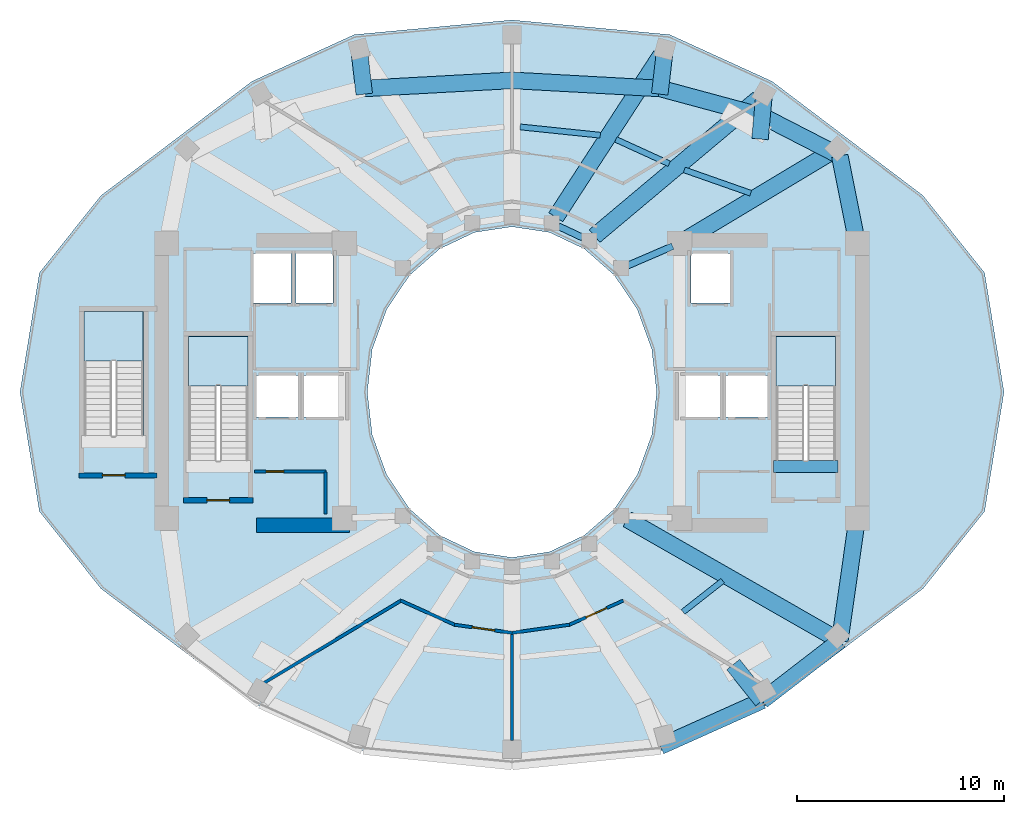
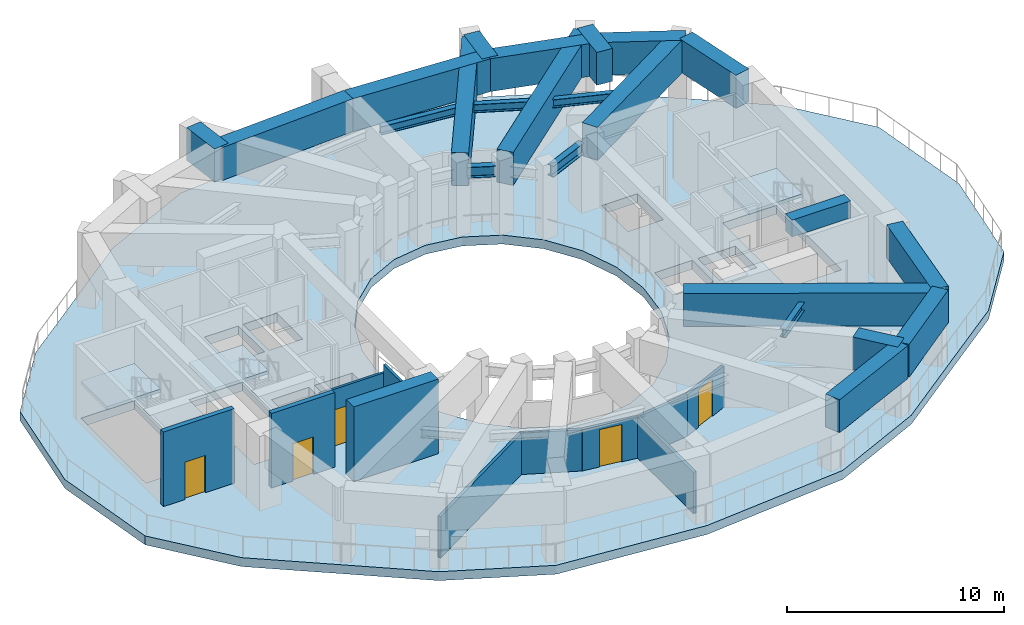
# One storey, part 2 of 9: 23 beams, 11 walls, 5 doors, 4 slabs, 5 openings, 3 elements without a shape of their own.
"""IFC4 building model written with IfcOpenShell, lengths in metres."""

import ifcopenshell
import ifcopenshell.guid

model = None  # the IFC model being written
_history = None  # IfcOwnerHistory: only IFC2X3 demands one
_inside = {}  # id of a spatial element -> (the spatial element, [elements in it])
_under = {}  # id of a project, library or spatial element -> (it, [spatial elements below it])
_declared = {}  # id of a project -> (the project, [libraries it declares])
_typed = {}  # id of a type object -> (the type object, [elements of that type])
_made_of = {}  # id of a material, layer set ... -> (it, [elements and type objects made of it])


def new_model(schema):
    """Start an empty IFC model of exactly this schema.

    Asked for "IFC4X3", IfcOpenShell would pick the latest addendum, in which some entities
    have other attributes; the version numbers below select the first issue.
    IFC2X3 requires an IfcOwnerHistory on every rooted entity: one is made here for all.
    """
    global model, _history
    if schema == "IFC4X3":
        model = ifcopenshell.file(schema_version=(4, 3, 0, 0))
    else:
        model = ifcopenshell.file(schema=schema)
    _inside.clear()
    _under.clear()
    _declared.clear()
    _typed.clear()
    _made_of.clear()
    _history = None
    if model.schema == "IFC2X3":
        org = make("IfcOrganization", Name="unknown")
        user = make(
            "IfcPersonAndOrganization",
            ThePerson=make("IfcPerson", FamilyName="unknown"),
            TheOrganization=org,
        )
        app = make(
            "IfcApplication",
            ApplicationDeveloper=org,
            Version="unknown",
            ApplicationFullName="unknown",
            ApplicationIdentifier="unknown",
        )
        _history = make(
            "IfcOwnerHistory",
            OwningUser=user,
            OwningApplication=app,
            ChangeAction="ADDED",
            CreationDate=0,
        )
    return model


def make(cls, **values):
    """One entity of the class cls with the attributes given. An attribute that is None is left unset."""
    return model.create_entity(
        cls, **{name: value for name, value in values.items() if value is not None}
    )


def rooted(cls, **values):
    """An entity with a GlobalId (a new one), such as an element, a storey or a relation."""
    return make(cls, GlobalId=ifcopenshell.guid.new(), OwnerHistory=_history, **values)


def si_unit(unit_type, name, prefix=None):
    """IfcSIUnit, for example si_unit("LENGTHUNIT", "METRE", prefix="MILLI")."""
    return make("IfcSIUnit", UnitType=unit_type, Prefix=prefix, Name=name)


def assignment(units):
    """IfcUnitAssignment: the units of a project."""
    return None if units is None else make("IfcUnitAssignment", Units=units)


def point(xyz):
    """IfcCartesianPoint."""
    return None if xyz is None else make("IfcCartesianPoint", Coordinates=xyz)


def direction(xyz):
    """IfcDirection."""
    return None if xyz is None else make("IfcDirection", DirectionRatios=xyz)


def frame(location, z_axis=None, x_axis=None):
    """IfcAxis2Placement3D, a coordinate frame: its origin and axes. An axis left out is left unset."""
    return make(
        "IfcAxis2Placement3D",
        Location=point(location),
        Axis=direction(z_axis),
        RefDirection=direction(x_axis),
    )


def frame_2d(location, x_axis=None):
    """IfcAxis2Placement2D, a coordinate frame in the plane: its origin and x axis."""
    return make(
        "IfcAxis2Placement2D", Location=point(location), RefDirection=direction(x_axis)
    )


def origin():
    """The frame at (0, 0, 0) with its axes left unset."""
    return frame((0.0, 0.0, 0.0))


def origin_2d():
    """The frame at (0, 0) in the plane with its x axis left unset."""
    return frame_2d((0.0, 0.0))


def place(relative_to, where):
    """IfcLocalPlacement: puts the frame where relative to a parent placement (None: the world)."""
    return make(
        "IfcLocalPlacement", PlacementRelTo=relative_to, RelativePlacement=where
    )


def context(
    kind, dimensions, precision=None, world=None, true_north=None, identifier=None
):
    """IfcGeometricRepresentationContext, for example the 3D "Model" context."""
    return make(
        "IfcGeometricRepresentationContext",
        ContextIdentifier=identifier,
        ContextType=kind,
        CoordinateSpaceDimension=dimensions,
        Precision=precision,
        WorldCoordinateSystem=world,
        TrueNorth=true_north,
    )


def subcontext(parent, identifier, kind, view, scale=None):
    """IfcGeometricRepresentationSubContext, for example "Body" below "Model"."""
    return make(
        "IfcGeometricRepresentationSubContext",
        ContextIdentifier=identifier,
        ContextType=kind,
        ParentContext=parent,
        TargetScale=scale,
        TargetView=view,
    )


def project(units=None, contexts=None):
    """IfcProject with its units and contexts."""
    return rooted(
        "IfcProject",
        Name="project",
        RepresentationContexts=contexts,
        UnitsInContext=assignment(units),
    )


def spatial(cls, under=None, at=None, **own):
    """A site, building, storey or space (cls), placed at a placement, below another one or the project."""
    s = rooted(cls, ObjectPlacement=at, **own)
    if under is not None:
        _under.setdefault(under.id(), (under, []))[1].append(s)
    return s


def polyline(points):
    """IfcPolyline through the points."""
    return make("IfcPolyline", Points=[point(p) for p in points])


def profile(cls, at=None, kind="AREA", **sizes):
    """A parametric profile (cls). Its sizes go by their IFC names, for example OverallWidth=200.0."""
    return make(cls, ProfileType=kind, Position=at, **sizes)


def rectangle(**sizes):
    """IfcRectangleProfileDef."""
    return profile("IfcRectangleProfileDef", **sizes)


def i_section(**sizes):
    """IfcIShapeProfileDef."""
    return profile("IfcIShapeProfileDef", **sizes)


def outline(outer, holes=None, kind="AREA"):
    """IfcArbitraryClosedProfileDef: a profile drawn as a closed curve; with holes, ...WithVoids."""
    if holes is None:
        return make("IfcArbitraryClosedProfileDef", ProfileType=kind, OuterCurve=outer)
    return make(
        "IfcArbitraryProfileDefWithVoids",
        ProfileType=kind,
        OuterCurve=outer,
        InnerCurves=holes,
    )


def extrude(swept, where, along, depth):
    """IfcExtrudedAreaSolid: the profile swept, set in the frame where, extruded along a direction by depth."""
    return make(
        "IfcExtrudedAreaSolid",
        SweptArea=swept,
        Position=where,
        ExtrudedDirection=direction(along),
        Depth=depth,
    )


def shape(context_of_items, identifier, shape_type, items):
    """IfcShapeRepresentation: the items that make up one representation, for example the "Body"."""
    return make(
        "IfcShapeRepresentation",
        ContextOfItems=context_of_items,
        RepresentationIdentifier=identifier,
        RepresentationType=shape_type,
        Items=items,
    )


def material(Name=None, Category=None):
    """IfcMaterial."""
    return make("IfcMaterial", Name=Name, Category=Category)


def layer(
    of_material, thickness, ventilated=None, Name=None, Category=None, Priority=None
):
    """IfcMaterialLayer: one layer of a wall or slab, of a material (None: an air gap)."""
    return make(
        "IfcMaterialLayer",
        Material=of_material,
        LayerThickness=thickness,
        IsVentilated=ventilated,
        Name=Name,
        Category=Category,
        Priority=Priority,
    )


def layer_set(layers, Name=None):
    """IfcMaterialLayerSet."""
    return make("IfcMaterialLayerSet", MaterialLayers=layers, LayerSetName=Name)


def material_profile(
    of_material, cross_section, Name=None, Category=None, Priority=None
):
    """IfcMaterialProfile: a cross section and its material."""
    return make(
        "IfcMaterialProfile",
        Name=Name,
        Material=of_material,
        Profile=cross_section,
        Priority=Priority,
        Category=Category,
    )


def profile_set(profiles, Name=None, composite=None):
    """IfcMaterialProfileSet."""
    return make(
        "IfcMaterialProfileSet",
        Name=Name,
        MaterialProfiles=profiles,
        CompositeProfile=composite,
    )


def made_of(thing, what):
    """Note that an element or type object is made of a material, layer set ...; save() writes the relation."""
    if what is not None:
        _made_of.setdefault(what.id(), (what, []))[1].append(thing)
    return thing


def type_object(cls, material=None, **own):
    """A type object (cls), such as IfcWallType, which elements share."""
    return made_of(rooted(cls, **own), material)


def element(
    cls,
    number,
    at=None,
    inside=None,
    cuts=None,
    type_object=None,
    material=None,
    context=None,
    identifier="Body",
    shape_type=None,
    held_by="IfcProductDefinitionShape",
    body=None,
    shapes=None,
    **own,
):
    """One element of the class cls, such as IfcWall. Its Tag is "e" and its number.

    at: its placement. inside: the storey or other place that contains it. cuts: it is an
    opening in that element (IfcRelVoidsElement). A single representation is given by context,
    identifier, shape_type and body (its items); several are given by shapes. held_by: the class
    of the entity that holds the representations. save() writes the other relations.
    """
    e = rooted(cls, Tag="e%d" % number, ObjectPlacement=at, **own)
    if body is not None:
        shapes = [shape(context, identifier, shape_type, body)]
    if shapes is not None:
        e.Representation = make(held_by, Representations=shapes)
    if inside is not None:
        _inside.setdefault(inside.id(), (inside, []))[1].append(e)
    if cuts is not None:
        rooted(
            "IfcRelVoidsElement", RelatingBuildingElement=cuts, RelatedOpeningElement=e
        )
    if type_object is not None:
        _typed.setdefault(type_object.id(), (type_object, []))[1].append(e)
    return made_of(e, material)


def fill(opening, filler):
    """IfcRelFillsElement: the door or window that sits in an opening."""
    return rooted(
        "IfcRelFillsElement",
        RelatingOpeningElement=opening,
        RelatedBuildingElement=filler,
    )


def aggregate(whole, parts):
    """IfcRelAggregates: a whole, such as a stair, and the parts it consists of."""
    return rooted("IfcRelAggregates", RelatingObject=whole, RelatedObjects=parts)


def save(model, path):
    """Write the relations noted so far, then the file.

    IfcRelAggregates (storeys below a building ...), IfcRelContainedInSpatialStructure (elements
    in a storey), IfcRelDefinesByType, IfcRelAssociatesMaterial and IfcRelDeclares: one each for
    every whole, place, type object, material and project.
    """
    for whole, parts in _under.values():
        aggregate(whole, parts)
    for where, things in _inside.values():
        rooted(
            "IfcRelContainedInSpatialStructure",
            RelatedElements=things,
            RelatingStructure=where,
        )
    for kind, things in _typed.values():
        rooted("IfcRelDefinesByType", RelatedObjects=things, RelatingType=kind)
    for what, things in _made_of.values():
        rooted("IfcRelAssociatesMaterial", RelatedObjects=things, RelatingMaterial=what)
    for by, libraries in _declared.values():
        rooted("IfcRelDeclares", RelatingContext=by, RelatedDefinitions=libraries)
    model.write(path)


model = new_model("IFC4")

# Units and contexts
model_context = context("Model", 3, precision=1e-05, world=origin(), true_north=direction((0.0, 1.0)))
body_context = subcontext(model_context, "Body", "Model", "MODEL_VIEW")
ifc_project = project(units=[si_unit("LENGTHUNIT", "METRE"), si_unit("AREAUNIT", "SQUARE_METRE"), si_unit("VOLUMEUNIT", "CUBIC_METRE"), si_unit("PLANEANGLEUNIT", "RADIAN"), si_unit("MASSUNIT", "GRAM", prefix="KILO")], contexts=[model_context])

# Site, building, storey
site_placement = place(None, origin())
site = spatial("IfcSite", under=ifc_project, at=site_placement, CompositionType="ELEMENT")
building_placement = place(site_placement, origin())
building = spatial("IfcBuilding", under=site, at=building_placement, Name="Solvane Sanctuary Tower", CompositionType="ELEMENT")
storey_placement = place(building_placement, frame((0.0, 0.0, 133.199951171875)))
storey = spatial("IfcBuildingStorey", under=building, at=storey_placement, Name="L40", CompositionType="ELEMENT", Elevation=133.199951171875)

# Beams
ifc_material_1 = material(Name="Concrete C70/85", Category="concrete")
ifc_material_profile_1 = material_profile(ifc_material_1, rectangle(XDim=0.60009765625, YDim=0.949951171875, at=origin_2d()), Name="RC600X950")
ifc_profile_set_1 = profile_set([ifc_material_profile_1], Name="Concrete C70/85")
beam_type_1 = type_object("IfcBeamType", Name="Beam B-COUPLE RC600X950", PredefinedType="LINTEL", material=ifc_profile_set_1)
beam_1_placement = place(storey_placement, frame((44.64990234375, 19.399169921875, 3.72509765625), z_axis=(1.0, 0.0, 0.0), x_axis=(0.0, 1.0, 0.0)))
element("IfcBeam", 1, at=beam_1_placement, inside=storey, type_object=beam_type_1, Name="L40 ST-2 Stair Floor Landing Trimmer", PredefinedType="LINTEL", context=body_context, shape_type="SweptSolid", body=[
    extrude(rectangle(XDim=0.60009765625, YDim=0.949951171875, at=origin_2d()), origin(), (0.0, 0.0, 1.0), 3.1201171875),
])
ifc_material_2 = material(Name="Steel ASTM A992 Grade 50", Category="steel")
ifc_material_profile_2 = material_profile(ifc_material_2, i_section(OverallWidth=0.324951171875, OverallDepth=0.615966796875, WebThickness=0.013916015625, FlangeThickness=0.021484375, FilletRadius=0.01611328125, at=origin_2d()), Name="W24X117")
ifc_profile_set_2 = profile_set([ifc_material_profile_2], Name="Steel ASTM A992 Grade 50")
beam_type_2 = type_object("IfcBeamType", Name="Beam B-RING-IN2 W24X117", PredefinedType="BEAM", material=ifc_profile_set_2)
beam_2_placement = place(storey_placement, frame((34.2431640625, 31.02490234375, 3.39013671875), z_axis=(0.9051808128, -0.425026700502, 0.0), x_axis=(0.425026700502, 0.9051808128, 0.0)))
element("IfcBeam", 2, at=beam_2_placement, inside=storey, type_object=beam_type_2, Name="L40 Inner Light-Well Ring Beam IC03-IC02", PredefinedType="BEAM", context=body_context, shape_type="SweptSolid", body=[
    extrude(i_section(OverallWidth=0.324951171875, OverallDepth=0.615966796875, WebThickness=0.013916015625, FlangeThickness=0.021484375, FilletRadius=0.01611328125, at=origin_2d()), origin(), (0.0, 0.0, 1.0), 1.297607421875),
])
beam_3_placement = place(storey_placement, frame((37.591796875, 29.11865234375, 3.39013671875), z_axis=(0.918264067649, 0.395968561966, 0.0), x_axis=(-0.395968561966, 0.918264067649, 0.0)))
element("IfcBeam", 3, at=beam_3_placement, inside=storey, type_object=beam_type_2, Name="L40 Inner Light-Well Ring Beam IC01-CE4", PredefinedType="BEAM", context=body_context, shape_type="SweptSolid", body=[
    extrude(i_section(OverallWidth=0.324951171875, OverallDepth=0.615966796875, WebThickness=0.013916015625, FlangeThickness=0.021484375, FilletRadius=0.01611328125, at=origin_2d()), origin(), (0.0, 0.0, 1.0), 2.371337890625),
])
ifc_material_profile_3 = material_profile(ifc_material_2, i_section(OverallWidth=0.280029296875, OverallDepth=0.462890625, WebThickness=0.0107421875, FlangeThickness=0.017333984375, FilletRadius=0.013916015625, at=origin_2d()), Name="W18X76")
ifc_profile_set_3 = profile_set([ifc_material_profile_3], Name="Steel ASTM A992 Grade 50")
beam_type_3 = type_object("IfcBeamType", Name="Beam B-SEC-JOIST W18X76", PredefinedType="JOIST", material=ifc_profile_set_3)
beam_4_placement = place(storey_placement, frame((32.392822265625, 35.8291015625, 3.466552734375), z_axis=(0.994650616878, -0.103296419804, 0.0), x_axis=(0.103296419804, 0.994650616878, 0.0)))
element("IfcBeam", 4, at=beam_4_placement, inside=storey, type_object=beam_type_3, Name="L40 Secondary Circumferential Joist 04-03", PredefinedType="JOIST", context=body_context, shape_type="SweptSolid", body=[
    extrude(i_section(OverallWidth=0.280029296875, OverallDepth=0.462890625, WebThickness=0.0107421875, FlangeThickness=0.017333984375, FilletRadius=0.013916015625, at=origin_2d()), origin(), (0.0, 0.0, 1.0), 3.899658203125),
])
beam_5_placement = place(storey_placement, frame((37.02392578125, 35.22119140625, 3.466552734375), z_axis=(0.909690124905, -0.415287703467, 0.0), x_axis=(0.415287703467, 0.909690124905, 0.0)))
element("IfcBeam", 5, at=beam_5_placement, inside=storey, type_object=beam_type_3, Name="L40 Secondary Circumferential Joist 03-02", PredefinedType="JOIST", context=body_context, shape_type="SweptSolid", body=[
    extrude(i_section(OverallWidth=0.280029296875, OverallDepth=0.462890625, WebThickness=0.0107421875, FlangeThickness=0.017333984375, FilletRadius=0.013916015625, at=origin_2d()), origin(), (0.0, 0.0, 1.0), 2.8359375),
])
beam_6_placement = place(storey_placement, frame((40.335693359375, 33.748291015625, 3.466552734375), z_axis=(0.943478341343, -0.331434185649, 0.0), x_axis=(0.331434185649, 0.943478341343, 0.0)))
element("IfcBeam", 6, at=beam_6_placement, inside=storey, type_object=beam_type_3, Name="L40 Secondary Circumferential Joist 02-01", PredefinedType="JOIST", context=body_context, shape_type="SweptSolid", body=[
    extrude(i_section(OverallWidth=0.280029296875, OverallDepth=0.462890625, WebThickness=0.0107421875, FlangeThickness=0.017333984375, FilletRadius=0.013916015625, at=origin_2d()), origin(), (0.0, 0.0, 1.0), 3.40087890625),
])
beam_7_placement = place(storey_placement, frame((40.2734375, 12.36474609375, 3.466552734375), z_axis=(0.786134524557, 0.618055425751, 0.0), x_axis=(-0.618055425751, 0.786134524557, 0.0)))
element("IfcBeam", 7, at=beam_7_placement, inside=storey, type_object=beam_type_3, Name="L40 Secondary Circumferential Joist 13-14", PredefinedType="JOIST", context=body_context, shape_type="SweptSolid", body=[
    extrude(i_section(OverallWidth=0.280029296875, OverallDepth=0.462890625, WebThickness=0.0107421875, FlangeThickness=0.017333984375, FilletRadius=0.013916015625, at=origin_2d()), origin(), (0.0, 0.0, 1.0), 2.443115234375),
])
ifc_material_profile_4 = material_profile(ifc_material_1, rectangle(XDim=0.800048828125, YDim=1.85009765625, at=origin_2d()), Name="RC800X1850")
ifc_profile_set_4 = profile_set([ifc_material_profile_4], Name="Concrete C70/85")
beam_type_4 = type_object("IfcBeamType", Name="Beam B-XFER-BLK RC800X1850", PredefinedType="BEAM", material=ifc_profile_set_4)
beam_8_placement = place(storey_placement, frame((40.40869140625, 30.38525390625, 3.275146484375), z_axis=(0.857508662656, 0.514469526279, 0.0), x_axis=(-0.514469526279, 0.857508662656, 0.0)))
element("IfcBeam", 8, at=beam_8_placement, inside=storey, type_object=beam_type_4, Name="L40 Block-Shift Radial Transfer Girder 01A", PredefinedType="BEAM", context=body_context, shape_type="SweptSolid", body=[
    extrude(rectangle(XDim=0.800048828125, YDim=1.85009765625, at=origin_2d()), origin(), (0.0, 0.0, 1.0), 8.212890625),
])
beam_9_placement = place(storey_placement, frame((35.994384765625, 30.54833984375, 3.275146484375), z_axis=(0.765969062049, 0.642877434651, 0.0), x_axis=(-0.642877434651, 0.765969062049, 0.0)))
element("IfcBeam", 9, at=beam_9_placement, inside=storey, type_object=beam_type_4, Name="L40 Block-Shift Radial Transfer Girder 02A", PredefinedType="BEAM", context=body_context, shape_type="SweptSolid", body=[
    extrude(rectangle(XDim=0.800048828125, YDim=1.85009765625, at=origin_2d()), origin(), (0.0, 0.0, 1.0), 10.33740234375),
])
beam_10_placement = place(storey_placement, frame((44.19140625, 37.382080078125, 3.275146484375), z_axis=(-0.090853169012, -0.995864298828, 0.0), x_axis=(0.995864298828, -0.090853169012, 0.0)))
element("IfcBeam", 10, at=beam_10_placement, inside=storey, type_object=beam_type_4, Name="L40 Block-Shift Transfer Tie 02B", PredefinedType="BEAM", context=body_context, shape_type="SweptSolid", body=[
    extrude(rectangle(XDim=0.800048828125, YDim=1.85009765625, at=origin_2d()), origin(), (0.0, 0.0, 1.0), 2.149658203125),
])
beam_11_placement = place(storey_placement, frame((34.11865234375, 31.461181640625, 3.275146484375), z_axis=(0.544283681382, 0.838901230289, 0.0), x_axis=(-0.838901230289, 0.544283681382, 0.0)))
element("IfcBeam", 11, at=beam_11_placement, inside=storey, type_object=beam_type_4, Name="L40 Block-Shift Radial Transfer Girder 03A", PredefinedType="BEAM", context=body_context, shape_type="SweptSolid", body=[
    extrude(rectangle(XDim=0.800048828125, YDim=1.85009765625, at=origin_2d()), origin(), (0.0, 0.0, 1.0), 9.330810546875),
])
for number, where, z_axis, x_axis, name in (
    (12, (39.39306640625, 39.54931640625, 3.275146484375), (-0.114581005201, -0.993413908322, 0.0), (0.993413908322, -0.114581005201, 0.0), "L40 Block-Shift Transfer Tie 03B"),
    (13, (24.60693359375, 39.54931640625, 3.275146484375), (0.114581005201, -0.993413908322, 0.0), (0.993413908322, 0.114581005201, 0.0), "L40 Block-Shift Transfer Tie 05B"),
):
    element("IfcBeam", number, at=place(storey_placement, frame(where, z_axis=z_axis, x_axis=x_axis)), inside=storey, type_object=beam_type_4, Name=name, PredefinedType="BEAM", context=body_context, shape_type="SweptSolid", body=[
        extrude(rectangle(XDim=0.800048828125, YDim=1.85009765625, at=origin_2d()), origin(), (0.0, 0.0, 1.0), 2.14990234375),
    ])
beam_12_placement = place(storey_placement, frame((42.702392578125, 9.821533203125, 3.275146484375), z_axis=(0.623643533192, -0.781708861091, 0.0), x_axis=(0.781708861091, 0.623643533192, 0.0)))
element("IfcBeam", 14, at=beam_12_placement, inside=storey, type_object=beam_type_4, Name="L40 Block-Shift Transfer Tie 13B", PredefinedType="BEAM", context=body_context, shape_type="SweptSolid", body=[
    extrude(rectangle(XDim=0.800048828125, YDim=1.85009765625, at=origin_2d()), origin(), (0.0, 0.0, 1.0), 2.238037109375),
])
beam_13_placement = place(storey_placement, frame((37.574462890625, 16.8466796875, 3.275146484375), z_axis=(0.868165750981, -0.496274348344, 0.0), x_axis=(0.496274348344, 0.868165750981, 0.0)))
element("IfcBeam", 15, at=beam_13_placement, inside=storey, type_object=beam_type_4, Name="L40 Block-Shift Radial Transfer Girder 14A", PredefinedType="BEAM", context=body_context, shape_type="SweptSolid", body=[
    extrude(rectangle(XDim=0.800048828125, YDim=1.85009765625, at=origin_2d()), origin(), (0.0, 0.0, 1.0), 11.843505859375),
])
for number, where, z_axis, x_axis, name in (
    (16, (24.82177734375, 37.686767578125, 3.275146484375), (0.998502279385, 0.054710127613, 0.0), (-0.054710127613, 0.998502279385, 0.0), "L40 Perimeter Step Transfer Ring NTC05-NTC04"),
    (17, (32.0, 38.080078125, 3.275146484375), (0.998502279385, -0.054710127613, 0.0), (0.054710127613, 0.998502279385, 0.0), "L40 Perimeter Step Transfer Ring NTC04-NTC03"),
):
    element("IfcBeam", number, at=place(storey_placement, frame(where, z_axis=z_axis, x_axis=x_axis)), inside=storey, type_object=beam_type_4, Name=name, PredefinedType="BEAM", context=body_context, shape_type="SweptSolid", body=[
        extrude(rectangle(XDim=0.800048828125, YDim=1.85009765625, at=origin_2d()), origin(), (0.0, 0.0, 1.0), 7.18896484375),
    ])
beam_14_placement = place(storey_placement, frame((39.17822265625, 37.686767578125, 3.275146484375), z_axis=(0.965477774792, -0.260485443705, 0.0), x_axis=(0.260485443705, 0.965477774792, 0.0)))
element("IfcBeam", 18, at=beam_14_placement, inside=storey, type_object=beam_type_4, Name="L40 Perimeter Step Transfer Ring NTC03-NTC02", PredefinedType="BEAM", context=body_context, shape_type="SweptSolid", body=[
    extrude(rectangle(XDim=0.800048828125, YDim=1.85009765625, at=origin_2d()), origin(), (0.0, 0.0, 1.0), 5.095947265625),
])
beam_15_placement = place(storey_placement, frame((44.09814453125, 36.359375, 3.275146484375), z_axis=(0.889297870953, -0.457328434189, 0.0), x_axis=(0.457328434189, 0.889297870953, 0.0)))
element("IfcBeam", 19, at=beam_15_placement, inside=storey, type_object=beam_type_4, Name="L40 Perimeter Step Transfer Ring NTC02-NTC01", PredefinedType="BEAM", context=body_context, shape_type="SweptSolid", body=[
    extrude(rectangle(XDim=0.800048828125, YDim=1.85009765625, at=origin_2d()), origin(), (0.0, 0.0, 1.0), 4.226318359375),
])
beam_16_placement = place(storey_placement, frame((47.856689453125, 34.426513671875, 3.275146484375), z_axis=(0.19562876256, -0.980678024256, 0.0), x_axis=(0.980678024256, 0.19562876256, 0.0)))
element("IfcBeam", 20, at=beam_16_placement, inside=storey, type_object=beam_type_4, Name="L40 Perimeter Step Transfer Ring NTC01-CE3", PredefinedType="BEAM", context=body_context, shape_type="SweptSolid", body=[
    extrude(rectangle(XDim=0.800048828125, YDim=1.85009765625, at=origin_2d()), origin(), (0.0, 0.0, 1.0), 3.949951171875),
])
beam_17_placement = place(storey_placement, frame((39.17822265625, 5.865478515625, 3.275146484375), z_axis=(0.912435879272, 0.409219704092, 0.0), x_axis=(-0.409219704092, 0.912435879272, 0.0)))
element("IfcBeam", 21, at=beam_17_placement, inside=storey, type_object=beam_type_4, Name="L40 Perimeter Step Transfer Ring NTC12-NTC13", PredefinedType="BEAM", context=body_context, shape_type="SweptSolid", body=[
    extrude(rectangle(XDim=0.800048828125, YDim=1.85009765625, at=origin_2d()), origin(), (0.0, 0.0, 1.0), 5.39208984375),
])
beam_18_placement = place(storey_placement, frame((44.09814453125, 8.072021484375, 3.275146484375), z_axis=(0.792034554649, 0.610476260179, 0.0), x_axis=(-0.610476260179, 0.792034554649, 0.0)))
element("IfcBeam", 22, at=beam_18_placement, inside=storey, type_object=beam_type_4, Name="L40 Perimeter Step Transfer Ring NTC13-NTC14", PredefinedType="BEAM", context=body_context, shape_type="SweptSolid", body=[
    extrude(rectangle(XDim=0.800048828125, YDim=1.85009765625, at=origin_2d()), origin(), (0.0, 0.0, 1.0), 4.745361328125),
])
beam_19_placement = place(storey_placement, frame((47.856689453125, 10.968994140625, 3.275146484375), z_axis=(0.1407839619, 0.990040340628, 0.0), x_axis=(-0.990040340628, 0.1407839619, 0.0)))
element("IfcBeam", 23, at=beam_19_placement, inside=storey, type_object=beam_type_4, Name="L40 Perimeter Step Transfer Ring NTC14-CE2", PredefinedType="BEAM", context=body_context, shape_type="SweptSolid", body=[
    extrude(rectangle(XDim=0.800048828125, YDim=1.85009765625, at=origin_2d()), origin(), (0.0, 0.0, 1.0), 5.630859375),
])

# Stair, slab
ifc_material_3 = material(Name="Concrete C45/55", Category="concrete")
stair_type = type_object("IfcStairType", Name="Stair ST-TOW", PredefinedType="HALF_TURN_STAIR", material=ifc_material_3)
stair_1_placement = place(storey_placement, origin())
stair_1 = element("IfcStair", 24, at=stair_1_placement, inside=storey, type_object=stair_type, Name="L40 Exit Stair ST-1 West Core", PredefinedType="HALF_TURN_STAIR")
ifc_layer_1 = layer(ifc_material_3, 0.199951171875, Name="Concrete C45/55")
ifc_layer_set_1 = layer_set([ifc_layer_1], Name="Concrete C45/55")
slab_type_1 = type_object("IfcSlabType", Name="Slab SL-LAND-180", PredefinedType="LANDING", material=ifc_layer_set_1)
slab_1_placement = place(storey_placement, frame((0.0, 0.0, 1.900146484375)))
slab_1 = element("IfcSlab", 25, at=slab_1_placement, type_object=slab_type_1, Name="ST-1 landing 1", PredefinedType="LANDING", context=body_context, shape_type="SweptSolid", body=[
    extrude(outline(polyline([(19.219970703125, 23.300048828125), (19.219970703125, 25.699951171875), (16.360107421875, 25.699951171875), (16.360107421875, 23.300048828125), (19.219970703125, 23.300048828125)])), origin(), (0.0, 0.0, 1.0), 0.199951171875),
])
aggregate(stair_1, [slab_1])

stair_2_placement = place(storey_placement, origin())
stair_2 = element("IfcStair", 26, at=stair_2_placement, inside=storey, type_object=stair_type, Name="L40 Exit Stair ST-2 East Core", PredefinedType="HALF_TURN_STAIR")
slab_2_placement = place(storey_placement, frame((0.0, 0.0, 1.900146484375)))
slab_2 = element("IfcSlab", 27, at=slab_2_placement, type_object=slab_type_1, Name="ST-2 landing 1", PredefinedType="LANDING", context=body_context, shape_type="SweptSolid", body=[
    extrude(outline(polyline([(47.639892578125, 23.300048828125), (47.639892578125, 25.699951171875), (44.780029296875, 25.699951171875), (44.780029296875, 23.300048828125), (47.639892578125, 23.300048828125)])), origin(), (0.0, 0.0, 1.0), 0.199951171875),
])
aggregate(stair_2, [slab_2])

stair_3_placement = place(storey_placement, origin())
stair_3 = element("IfcStair", 28, at=stair_3_placement, inside=storey, type_object=stair_type, Name="L40 Exit Stair ST-3 Pilgrim Tower Stair", PredefinedType="HALF_TURN_STAIR")
slab_3_placement = place(storey_placement, frame((0.0, 0.0, 1.900146484375)))
slab_3 = element("IfcSlab", 29, at=slab_3_placement, type_object=slab_type_1, Name="ST-3 landing 1", PredefinedType="LANDING", context=body_context, shape_type="SweptSolid", body=[
    extrude(outline(polyline([(14.159912109375, 24.5), (14.159912109375, 26.89990234375), (11.300048828125, 26.89990234375), (11.300048828125, 24.5), (14.159912109375, 24.5)])), origin(), (0.0, 0.0, 1.0), 0.199951171875),
])
aggregate(stair_3, [slab_3])

# Slab
ifc_material_4 = material(Name="Concrete C60/75", Category="concrete")
ifc_layer_2 = layer(ifc_material_4, 0.5, Name="Concrete C60/75")
ifc_layer_set_2 = layer_set([ifc_layer_2], Name="Concrete C60/75")
slab_type_2 = type_object("IfcSlabType", Name="Slab SL-XFER-500", PredefinedType="FLOOR", material=ifc_layer_set_2)
slab_4_placement = place(storey_placement, frame((0.0, 0.0, -0.5)))
element("IfcSlab", 30, at=slab_4_placement, inside=storey, type_object=slab_type_2, Name="L40 Primary Structural Slab", PredefinedType="FLOOR", context=body_context, shape_type="SweptSolid", body=[
    extrude(outline(polyline([(55.800048828125, 23.0), (54.862060546875, 28.770263671875), (51.87744140625, 32.51171875), (48.22509765625, 35.27099609375), (44.576416015625, 38.033203125), (39.62939453125, 40.290771484375), (32.0, 41.0), (24.37060546875, 40.290771484375), (19.423583984375, 38.033203125), (15.77490234375, 35.27099609375), (12.12255859375, 32.51171875), (9.137939453125, 28.770263671875), (8.199951171875, 23.0), (9.137939453125, 17.229736328125), (12.12255859375, 13.48828125), (15.77490234375, 10.72900390625), (19.423583984375, 7.966796875), (24.37060546875, 5.709228515625), (32.0, 5.0), (39.62939453125, 5.709228515625), (44.576416015625, 7.966796875), (48.22509765625, 10.72900390625), (51.87744140625, 13.48828125), (54.862060546875, 17.229736328125), (55.800048828125, 23.0)]), holes=[polyline([(38.761474609375, 20.929443359375), (38.062255859375, 19.0), (36.94970703125, 17.343017578125), (35.5, 16.07177734375), (33.811767578125, 15.272705078125), (32.0, 15.0), (30.188232421875, 15.272705078125), (28.5, 16.07177734375), (27.05029296875, 17.343017578125), (25.937744140625, 19.0), (25.238525390625, 20.929443359375), (25.0, 23.0), (25.238525390625, 25.070556640625), (25.937744140625, 27.0), (27.05029296875, 28.656982421875), (28.5, 29.92822265625), (30.188232421875, 30.727294921875), (32.0, 31.0), (33.811767578125, 30.727294921875), (35.5, 29.92822265625), (36.94970703125, 28.656982421875), (38.062255859375, 27.0), (38.761474609375, 25.070556640625), (39.0, 23.0), (38.761474609375, 20.929443359375)]), polyline([(16.360107421875, 19.699951171875), (16.360107421875, 25.699951171875), (19.219970703125, 25.699951171875), (19.219970703125, 19.699951171875), (16.360107421875, 19.699951171875)]), polyline([(44.780029296875, 19.699951171875), (44.780029296875, 25.699951171875), (47.639892578125, 25.699951171875), (47.639892578125, 19.699951171875), (44.780029296875, 19.699951171875)]), polyline([(11.300048828125, 20.89990234375), (11.300048828125, 26.89990234375), (14.159912109375, 26.89990234375), (14.159912109375, 20.89990234375), (11.300048828125, 20.89990234375)]), polyline([(19.64990234375, 23.800048828125), (21.64990234375, 23.800048828125), (21.64990234375, 21.800048828125), (19.64990234375, 21.800048828125), (19.64990234375, 23.800048828125)]), polyline([(42.35009765625, 23.800048828125), (44.35009765625, 23.800048828125), (44.35009765625, 21.800048828125), (42.35009765625, 21.800048828125), (42.35009765625, 23.800048828125)]), polyline([(21.949951171875, 23.800048828125), (23.949951171875, 23.800048828125), (23.949951171875, 21.800048828125), (21.949951171875, 21.800048828125), (21.949951171875, 23.800048828125)]), polyline([(40.050048828125, 23.800048828125), (42.050048828125, 23.800048828125), (42.050048828125, 21.800048828125), (40.050048828125, 21.800048828125), (40.050048828125, 23.800048828125)]), polyline([(19.5, 29.699951171875), (21.300048828125, 29.699951171875), (21.300048828125, 27.300048828125), (19.5, 27.300048828125), (19.5, 29.699951171875)]), polyline([(21.550048828125, 29.699951171875), (23.35009765625, 29.699951171875), (23.35009765625, 27.300048828125), (21.550048828125, 27.300048828125), (21.550048828125, 29.699951171875)]), polyline([(40.64990234375, 29.699951171875), (42.550048828125, 29.699951171875), (42.550048828125, 27.300048828125), (40.64990234375, 27.300048828125), (40.64990234375, 29.699951171875)])]), origin(), (0.0, 0.0, 1.0), 0.5),
])

# Walls
ifc_layer_3 = layer(ifc_material_4, 0.699951171875, Name="Concrete C60/75")
ifc_layer_set_3 = layer_set([ifc_layer_3], Name="Concrete C60/75")
wall_type_1 = type_object("IfcWallType", Name="Wall W-CORE-700", PredefinedType="SHEAR", material=ifc_layer_set_3)
wall_1_placement = place(storey_placement, frame((19.64990234375, 16.550048828125, 0.0), z_axis=(0.0, 0.0, 1.0), x_axis=(1.0, 0.0, 0.0)))
element("IfcWall", 31, at=wall_1_placement, inside=storey, type_object=wall_type_1, Name="L40 Core Shear Wall WC-S", PredefinedType="SHEAR", context=body_context, shape_type="SweptSolid", body=[
    extrude(rectangle(XDim=4.5, YDim=0.699951171875, at=frame_2d((2.25, 0.0))), origin(), (0.0, 0.0, 1.0), 4.199951171875),
])
ifc_material_5 = material(Name="Acoustic Gypsum Partition Board")
ifc_layer_4 = layer(ifc_material_5, 0.14990234375, Name="Acoustic Gypsum Partition Board")
ifc_layer_set_4 = layer_set([ifc_layer_4], Name="Acoustic Gypsum Partition Board")
wall_type_2 = type_object("IfcWallType", Name="Wall W-CORR-150", PredefinedType="PARTITIONING", material=ifc_layer_set_4)
wall_2_placement = place(storey_placement, frame((26.66796875, 12.9365234375, 0.0), z_axis=(0.0, 0.0, 1.0), x_axis=(-0.857109469509, -0.515134309941, 0.0)))
element("IfcWall", 32, at=wall_2_placement, inside=storey, type_object=wall_type_2, Name="L40 Refuge Area Radial Screen 240", PredefinedType="PARTITIONING", context=body_context, shape_type="SweptSolid", body=[
    extrude(rectangle(XDim=7.75732421875, YDim=0.14990234375, at=frame_2d((3.878662109375, 0.0))), origin(), (0.0, 0.0, 1.0), 2.320068359375),
])
wall_3_placement = place(storey_placement, frame((32.0, 11.39990234375, 0.0), z_axis=(0.0, 0.0, 1.0), x_axis=(0.0, -1.0, 0.0)))
element("IfcWall", 33, at=wall_3_placement, inside=storey, type_object=wall_type_2, Name="L40 Refuge Area Radial Screen 270", PredefinedType="PARTITIONING", context=body_context, shape_type="SweptSolid", body=[
    extrude(rectangle(XDim=5.25, YDim=0.14990234375, at=frame_2d((2.625, 0.0))), origin(), (0.0, 0.0, 1.0), 2.320068359375),
])
wall_4_placement = place(storey_placement, frame((26.618408203125, 12.914794921875, 0.0), z_axis=(0.0, 0.0, 1.0), x_axis=(0.9121872495, -0.409773622687, 0.0)))
element("IfcWall", 34, at=wall_4_placement, inside=storey, type_object=wall_type_2, Name="L40 Refuge Lobby Wall 3", PredefinedType="PARTITIONING", context=body_context, shape_type="SweptSolid", body=[
    extrude(rectangle(XDim=2.8515625, YDim=0.14990234375, at=frame_2d((1.42578125, 0.0))), origin(), (0.0, 0.0, 1.0), 2.320068359375),
])

# Wall, opening, door
wall_5_placement = place(storey_placement, frame((29.2158203125, 11.74755859375, 0.0), z_axis=(0.0, 0.0, 1.0), x_axis=(0.990016911465, -0.140948625436, 0.0)))
wall_5 = element("IfcWall", 35, at=wall_5_placement, inside=storey, type_object=wall_type_2, Name="L40 Refuge Lobby Wall 3", PredefinedType="PARTITIONING", context=body_context, shape_type="SweptSolid", body=[
    extrude(rectangle(XDim=2.81982421875, YDim=0.14990234375, at=frame_2d((1.409912109375, 0.0))), origin(), (0.0, 0.0, 1.0), 2.320068359375),
])
opening_1_placement = place(wall_5_placement, frame((0.85986328125, 0.0, 0.0)))
opening_1 = element("IfcOpeningElement", 36, at=opening_1_placement, cuts=wall_5, Name="Opening D-L40-10", PredefinedType="OPENING", context=body_context, shape_type="SweptSolid", body=[
    extrude(rectangle(XDim=1.10009765625, YDim=2.10009765625, at=frame_2d((0.550048828125, 1.050048828125))), frame((0.0, 0.0849609375, 0.0), z_axis=(0.0, -1.0, 0.0), x_axis=(1.0, 0.0, 0.0)), (0.0, 0.0, 1.0), 0.169921875),
])
ifc_material_6 = material(Name="Architectural Stainless Steel 316", Category="steel")
door_type_1 = type_object("IfcDoorType", Name="Door D-FFL", OperationType="NOTDEFINED", PredefinedType="DOOR", material=ifc_material_6)
door_1_placement = place(opening_1_placement, origin())
door_1 = element("IfcDoor", 37, at=door_1_placement, inside=storey, type_object=door_type_1, Name="L40 South-West Open Refuge Area Door", OperationType="SINGLE_SWING_RIGHT", OverallHeight=2.10009765625, OverallWidth=1.10009765625, PredefinedType="DOOR", context=body_context, shape_type="SweptSolid", body=[
    extrude(rectangle(XDim=1.10009765625, YDim=2.10009765625, at=frame_2d((0.550048828125, 1.050048828125))), frame((0.0, 0.02490234375, 0.0), z_axis=(0.0, -1.0, 0.0), x_axis=(1.0, 0.0, 0.0)), (0.0, 0.0, 1.0), 0.050048828125),
])
fill(opening_1, door_1)

# Wall
wall_6_placement = place(storey_placement, frame((31.992431640625, 11.35009765625, 0.0), z_axis=(0.0, 0.0, 1.0), x_axis=(0.990016911465, 0.140948625436, 0.0)))
element("IfcWall", 38, at=wall_6_placement, inside=storey, type_object=wall_type_2, Name="L40 Refuge Lobby Wall 4", PredefinedType="PARTITIONING", context=body_context, shape_type="SweptSolid", body=[
    extrude(rectangle(XDim=2.81982421875, YDim=0.14990234375, at=frame_2d((1.409912109375, 0.0))), origin(), (0.0, 0.0, 1.0), 2.320068359375),
])

# Wall, opening, door
wall_7_placement = place(storey_placement, frame((34.780517578125, 11.746337890625, 0.0), z_axis=(0.0, 0.0, 1.0), x_axis=(0.9121872495, 0.409773622687, 0.0)))
wall_7 = element("IfcWall", 39, at=wall_7_placement, inside=storey, type_object=wall_type_2, Name="L40 Refuge Lobby Wall 4", PredefinedType="PARTITIONING", context=body_context, shape_type="SweptSolid", body=[
    extrude(rectangle(XDim=2.8515625, YDim=0.14990234375, at=frame_2d((1.42578125, 0.0))), origin(), (0.0, 0.0, 1.0), 2.320068359375),
])
opening_2_placement = place(wall_7_placement, frame((0.875732421875, 0.0, 0.0)))
opening_2 = element("IfcOpeningElement", 40, at=opening_2_placement, cuts=wall_7, Name="Opening D-L40-11", PredefinedType="OPENING", context=body_context, shape_type="SweptSolid", body=[
    extrude(rectangle(XDim=1.10009765625, YDim=2.10009765625, at=frame_2d((0.550048828125, 1.050048828125))), frame((0.0, 0.0849609375, 0.0), z_axis=(0.0, -1.0, 0.0), x_axis=(1.0, 0.0, 0.0)), (0.0, 0.0, 1.0), 0.169921875),
])
door_2_placement = place(opening_2_placement, origin())
door_2 = element("IfcDoor", 41, at=door_2_placement, inside=storey, type_object=door_type_1, Name="L40 South-East Open Refuge Area Door", OperationType="SINGLE_SWING_LEFT", OverallHeight=2.10009765625, OverallWidth=1.10009765625, PredefinedType="DOOR", context=body_context, shape_type="SweptSolid", body=[
    extrude(rectangle(XDim=1.10009765625, YDim=2.10009765625, at=frame_2d((0.550048828125, 1.050048828125))), frame((0.0, 0.02490234375, 0.0), z_axis=(0.0, -1.0, 0.0), x_axis=(1.0, 0.0, 0.0)), (0.0, 0.0, 1.0), 0.050048828125),
])
fill(opening_2, door_2)

ifc_layer_5 = layer(ifc_material_5, 0.125, Name="Acoustic Gypsum Partition Board")
ifc_layer_set_5 = layer_set([ifc_layer_5], Name="Acoustic Gypsum Partition Board")
wall_type_3 = type_object("IfcWallType", Name="Wall W-PART-125", PredefinedType="PARTITIONING", material=ifc_layer_set_5)
wall_8_placement = place(storey_placement, frame((19.550048828125, 19.159912109375, 0.0), z_axis=(0.0, 0.0, 1.0), x_axis=(1.0, 0.0, 0.0)))
wall_8 = element("IfcWall", 42, at=wall_8_placement, inside=storey, type_object=wall_type_3, Name="L40 Reclaimed Room Partition PLW", PredefinedType="PARTITIONING", context=body_context, shape_type="SweptSolid", body=[
    extrude(rectangle(XDim=3.449951171875, YDim=0.125, at=frame_2d((1.72509765625, 0.0))), origin(), (0.0, 0.0, 1.0), 3.219970703125),
])
opening_3_placement = place(wall_8_placement, frame((0.550048828125, 0.0, 0.0)))
opening_3 = element("IfcOpeningElement", 43, at=opening_3_placement, cuts=wall_8, Name="Opening D-L40-06", PredefinedType="OPENING", context=body_context, shape_type="SweptSolid", body=[
    extrude(rectangle(XDim=0.85009765625, YDim=2.050048828125, at=frame_2d((0.425048828125, 1.02490234375))), frame((0.0, 0.072509765625, 0.0), z_axis=(0.0, -1.0, 0.0), x_axis=(1.0, 0.0, 0.0)), (0.0, 0.0, 1.0), 0.14501953125),
])
door_type_2 = type_object("IfcDoorType", Name="Door D-RISER", OperationType="NOTDEFINED", PredefinedType="DOOR", material=ifc_material_6)
door_3_placement = place(opening_3_placement, origin())
door_3 = element("IfcDoor", 44, at=door_3_placement, inside=storey, type_object=door_type_2, Name="L40 Reclaimed Room Door PLW-1", OperationType="SINGLE_SWING_RIGHT", OverallHeight=2.050048828125, OverallWidth=0.85009765625, PredefinedType="DOOR", context=body_context, shape_type="SweptSolid", body=[
    extrude(rectangle(XDim=0.85009765625, YDim=2.050048828125, at=frame_2d((0.425048828125, 1.02490234375))), frame((0.0, 0.02490234375, 0.0), z_axis=(0.0, -1.0, 0.0), x_axis=(1.0, 0.0, 0.0)), (0.0, 0.0, 1.0), 0.050048828125),
])
fill(opening_3, door_3)

# Wall
wall_9_placement = place(storey_placement, frame((22.97998046875, 17.10009765625, 0.0), z_axis=(0.0, 0.0, 1.0), x_axis=(0.0, 1.0, 0.0)))
element("IfcWall", 45, at=wall_9_placement, inside=storey, type_object=wall_type_3, Name="L40 Reclaimed Room Closer Wall PLW-1", PredefinedType="PARTITIONING", context=body_context, shape_type="SweptSolid", body=[
    extrude(rectangle(XDim=2.039794921875, YDim=0.125, at=frame_2d((1.02001953125, 0.0))), origin(), (0.0, 0.0, 1.0), 3.675048828125),
])

# Wall, opening, door
ifc_material_7 = material(Name="Concrete C50/60", Category="concrete")
ifc_layer_6 = layer(ifc_material_7, 0.25, Name="Concrete C50/60")
ifc_layer_set_6 = layer_set([ifc_layer_6], Name="Concrete C50/60")
wall_type_4 = type_object("IfcWallType", Name="Wall W-SHAFT-250", PredefinedType="SOLIDWALL", material=ifc_layer_set_6)
wall_10_placement = place(storey_placement, frame((16.10498046875, 17.77001953125, 0.0), z_axis=(0.0, 0.0, 1.0), x_axis=(1.0, 0.0, 0.0)))
wall_10 = element("IfcWall", 46, at=wall_10_placement, inside=storey, type_object=wall_type_4, Name="L40 ST-1 Load-Bearing Shaft Wall S", PredefinedType="SOLIDWALL", context=body_context, shape_type="SweptSolid", body=[
    extrude(rectangle(XDim=3.3701171875, YDim=0.25, at=frame_2d((1.68505859375, 0.0))), origin(), (0.0, 0.0, 1.0), 4.199951171875),
])
opening_4_placement = place(wall_10_placement, frame((1.135009765625, 0.0, 0.0)))
opening_4 = element("IfcOpeningElement", 47, at=opening_4_placement, cuts=wall_10, Name="Opening D-L40-01", PredefinedType="OPENING", context=body_context, shape_type="SweptSolid", body=[
    extrude(rectangle(XDim=1.10009765625, YDim=2.10009765625, at=frame_2d((0.550048828125, 1.050048828125))), frame((0.0, 0.135009765625, 0.0), z_axis=(0.0, -1.0, 0.0), x_axis=(1.0, 0.0, 0.0)), (0.0, 0.0, 1.0), 0.27001953125),
])
door_type_3 = type_object("IfcDoorType", Name="Door D-STAIR", OperationType="NOTDEFINED", PredefinedType="DOOR", material=ifc_material_6)
door_4_placement = place(opening_4_placement, origin())
door_4 = element("IfcDoor", 48, at=door_4_placement, inside=storey, type_object=door_type_3, Name="L40 ST-1 Exit Stair Fire Door", OperationType="SINGLE_SWING_RIGHT", OverallHeight=2.10009765625, OverallWidth=1.10009765625, PredefinedType="DOOR", context=body_context, shape_type="SweptSolid", body=[
    extrude(rectangle(XDim=1.10009765625, YDim=2.10009765625, at=frame_2d((0.550048828125, 1.050048828125))), frame((0.0, 0.02490234375, 0.0), z_axis=(0.0, -1.0, 0.0), x_axis=(1.0, 0.0, 0.0)), (0.0, 0.0, 1.0), 0.050048828125),
])
fill(opening_4, door_4)

wall_11_placement = place(storey_placement, frame((11.044921875, 18.969970703125, 0.0), z_axis=(0.0, 0.0, 1.0), x_axis=(1.0, 0.0, 0.0)))
wall_11 = element("IfcWall", 49, at=wall_11_placement, inside=storey, type_object=wall_type_4, Name="L40 ST-3 Load-Bearing Shaft Wall S", PredefinedType="SOLIDWALL", context=body_context, shape_type="SweptSolid", body=[
    extrude(rectangle(XDim=3.781982421875, YDim=0.25, at=frame_2d((1.89111328125, 0.0))), origin(), (0.0, 0.0, 1.0), 4.199951171875),
])
opening_5_placement = place(wall_11_placement, frame((1.135009765625, 0.0, 0.0)))
opening_5 = element("IfcOpeningElement", 50, at=opening_5_placement, cuts=wall_11, Name="Opening D-L40-03", PredefinedType="OPENING", context=body_context, shape_type="SweptSolid", body=[
    extrude(rectangle(XDim=1.10009765625, YDim=2.10009765625, at=frame_2d((0.550048828125, 1.050048828125))), frame((0.0, 0.135009765625, 0.0), z_axis=(0.0, -1.0, 0.0), x_axis=(1.0, 0.0, 0.0)), (0.0, 0.0, 1.0), 0.27001953125),
])
door_5_placement = place(opening_5_placement, origin())
door_5 = element("IfcDoor", 51, at=door_5_placement, inside=storey, type_object=door_type_3, Name="L40 ST-3 Exit Stair Fire Door", OperationType="SINGLE_SWING_RIGHT", OverallHeight=2.10009765625, OverallWidth=1.10009765625, PredefinedType="DOOR", context=body_context, shape_type="SweptSolid", body=[
    extrude(rectangle(XDim=1.10009765625, YDim=2.10009765625, at=frame_2d((0.550048828125, 1.050048828125))), frame((0.0, 0.02490234375, 0.0), z_axis=(0.0, -1.0, 0.0), x_axis=(1.0, 0.0, 0.0)), (0.0, 0.0, 1.0), 0.050048828125),
])
fill(opening_5, door_5)

save(model, "model.ifc")
